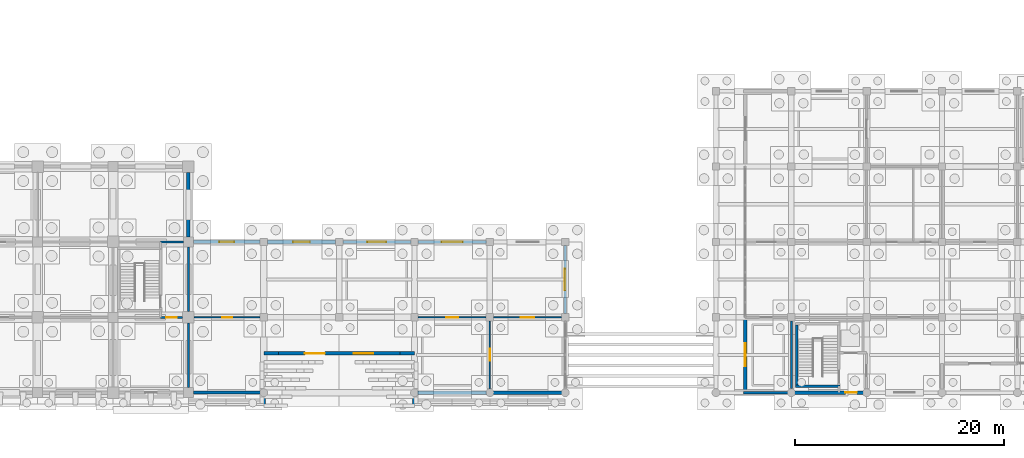
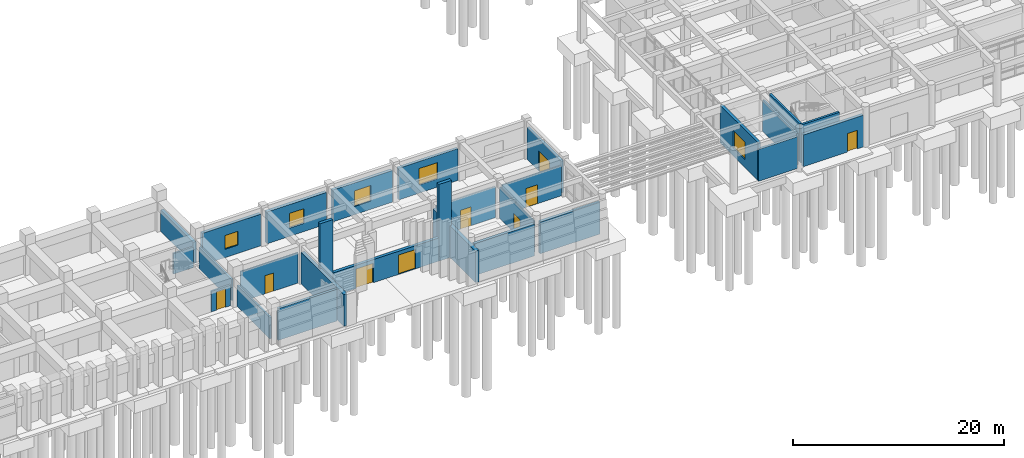
# One storey, part 59 of 79: 28 walls, 9 doors, 5 windows, 14 openings.
"""IFC4 building model written with IfcOpenShell, lengths in metres."""

from ifc_helpers import new_model, si_unit, direction, frame, frame_2d, origin, place, context, subcontext, project, spatial, rectangle, extrude, material, layer, layer_set, type_object, element, fill, save


model = new_model("IFC4")

# Units and contexts
model_context = context("Model", 3, precision=1e-05, world=origin(), true_north=direction((0.0, 1.0)))
body_context = subcontext(model_context, "Body", "Model", "MODEL_VIEW")
ifc_project = project(units=[si_unit("LENGTHUNIT", "METRE"), si_unit("AREAUNIT", "SQUARE_METRE"), si_unit("VOLUMEUNIT", "CUBIC_METRE"), si_unit("PLANEANGLEUNIT", "RADIAN"), si_unit("MASSUNIT", "GRAM", prefix="KILO")], contexts=[model_context])

# Site, building, storey
site_placement = place(None, origin())
site = spatial("IfcSite", under=ifc_project, at=site_placement, CompositionType="ELEMENT")
building_placement = place(site_placement, origin())
building = spatial("IfcBuilding", under=site, at=building_placement, Name="Kavelor Marine Aquarium", CompositionType="ELEMENT")
storey_placement = place(building_placement, origin())
storey = spatial("IfcBuildingStorey", under=building, at=storey_placement, Name="L00", CompositionType="ELEMENT", Elevation=0.0)

# Wall, opening, window
ifc_material_1 = material(Name="Concrete C45/55", Category="concrete")
ifc_layer_1 = layer(ifc_material_1, 0.360107421875)
ifc_layer_set_1 = layer_set([ifc_layer_1], Name="WL-EX1")
wall_type_1 = type_object("IfcWallType", Name="WL-EX1", PredefinedType="STANDARD", material=ifc_layer_set_1)
wall_1_placement = place(storey_placement, frame((75.544921875, 17.199951171875, 0.0), z_axis=(0.0, 0.0, 1.0), x_axis=(1.0, 0.0, 0.0)))
wall_1 = element("IfcWall", 1, at=wall_1_placement, inside=storey, type_object=wall_type_1, Name="ew:x:L00:10_02", PredefinedType="STANDARD", context=body_context, shape_type="SweptSolid", body=[
    extrude(rectangle(XDim=6.510009765625, YDim=0.360107421875, at=frame_2d((3.2548828125, 0.0))), origin(), (0.0, 0.0, 1.0), 3.669921875),
])
opening_1_placement = place(wall_1_placement, frame((2.455078125, 0.0, 0.949951171875)))
opening_1 = element("IfcOpeningElement", 2, at=opening_1_placement, cuts=wall_1, Name="Opening W06", PredefinedType="OPENING", context=body_context, shape_type="SweptSolid", body=[
    extrude(rectangle(XDim=1.60009765625, YDim=1.699951171875, at=frame_2d((0.800048828125, 0.85009765625))), frame((0.0, 0.18994140625, 0.0), z_axis=(0.0, -1.0, 0.0), x_axis=(1.0, 0.0, 0.0)), (0.0, 0.0, 1.0), 0.380107),
])
ifc_material_2 = material(Name="Anodised Aluminium Frame with Low-E Double Glazing", Category="aluminium")
window_type_1 = type_object("IfcWindowType", Name="WIN-W06", PartitioningType="SINGLE_PANEL", PredefinedType="WINDOW", material=ifc_material_2)
window_1_placement = place(opening_1_placement, origin())
window_1 = element("IfcWindow", 3, at=window_1_placement, inside=storey, type_object=window_type_1, Name="win:x:L00:10_02", OverallHeight=1.699951171875, OverallWidth=1.60009765625, PartitioningType="SINGLE_PANEL", PredefinedType="WINDOW", context=body_context, shape_type="SweptSolid", body=[
    extrude(rectangle(XDim=1.60009765625, YDim=1.699951171875, at=frame_2d((0.800048828125, 0.85009765625))), frame((0.0, 0.030029296875, 0.0), z_axis=(0.0, -1.0, 0.0), x_axis=(1.0, 0.0, 0.0)), (0.0, 0.0, 1.0), 0.06005859375),
])
fill(opening_1, window_1)

# Walls
wall_2_placement = place(storey_placement, frame((96.489990234375, 2.800048828125, 0.0), z_axis=(0.0, 0.0, 1.0), x_axis=(-1.0, 0.0, 0.0)))
element("IfcWall", 4, at=wall_2_placement, inside=storey, type_object=wall_type_1, Name="ew:x:L00:12_00", PredefinedType="STANDARD", context=body_context, shape_type="SweptSolid", body=[
    extrude(rectangle(XDim=6.580078125, YDim=0.360107421875, at=frame_2d((3.2900390625, 0.0))), origin(), (0.0, 0.0, 1.0), 3.669921875),
])
for number, where, z_axis, x_axis, name in (
    (5, (75.199951171875, 1.56005859375, 0.0), (0.0, 0.0, 1.0), (0.0, 1.0, 0.0), "ew:portal:south:cheek:w:L00"),
    (6, (89.60009765625, 1.56005859375, 0.0), (0.0, 0.0, 1.0), (0.0, 1.0, 0.0), "ew:portal:south:cheek:e:L00"),
):
    element("IfcWall", number, at=place(storey_placement, frame(where, z_axis=z_axis, x_axis=x_axis)), inside=storey, type_object=wall_type_1, Name=name, PredefinedType="STANDARD", context=body_context, shape_type="SweptSolid", body=[
        extrude(rectangle(XDim=8.094970703125, YDim=0.360107421875, at=frame_2d((4.04736328125, 0.0))), origin(), (0.0, 0.0, 1.0), 3.669921875),
    ])
for number, where, z_axis, x_axis, name in (
    (7, (75.199951171875, 6.56005859375, 0.0), (0.0, 0.0, 1.0), (1.0, 0.0, 0.0), "ew:portal:south:jamb:l"),
    (8, (88.199951171875, 6.56005859375, 0.0), (0.0, 0.0, 1.0), (1.0, 0.0, 0.0), "ew:portal:south:jamb:r"),
):
    element("IfcWall", number, at=place(storey_placement, frame(where, z_axis=z_axis, x_axis=x_axis)), inside=storey, type_object=wall_type_1, Name=name, PredefinedType="STANDARD", context=body_context, shape_type="SweptSolid", body=[
        extrude(rectangle(XDim=1.400146484375, YDim=0.340087890625, at=frame_2d((0.7001953125, 0.0))), origin(), (0.0, 0.0, 1.0), 8.8701171875),
    ])

# Wall, opening, window
ifc_material_3 = material(Name="Concrete C45/55", Category="concrete")
ifc_layer_2 = layer(ifc_material_3, 0.320068359375)
ifc_layer_set_2 = layer_set([ifc_layer_2], Name="WL-EX2")
wall_type_2 = type_object("IfcWallType", Name="WL-EX2", PredefinedType="STANDARD", material=ifc_layer_set_2)
wall_3_placement = place(storey_placement, frame((82.7451171875, 17.199951171875, 0.0), z_axis=(0.0, 0.0, 1.0), x_axis=(1.0, 0.0, 0.0)))
wall_3 = element("IfcWall", 9, at=wall_3_placement, inside=storey, type_object=wall_type_2, Name="ew:x:L00:11_02", PredefinedType="STANDARD", context=body_context, shape_type="SweptSolid", body=[
    extrude(rectangle(XDim=6.509765625, YDim=0.320068359375, at=frame_2d((3.2548828125, 0.0))), origin(), (0.0, 0.0, 1.0), 3.669921875),
])
opening_2_placement = place(wall_3_placement, frame((2.35498046875, 0.0, 0.949951171875)))
opening_2 = element("IfcOpeningElement", 10, at=opening_2_placement, cuts=wall_3, Name="Opening W08", PredefinedType="OPENING", context=body_context, shape_type="SweptSolid", body=[
    extrude(rectangle(XDim=1.800048828125, YDim=1.800048828125, at=frame_2d((0.89990234375, 0.89990234375))), frame((0.0, 0.169921875, 0.0), z_axis=(0.0, -1.0, 0.0), x_axis=(1.0, 0.0, 0.0)), (0.0, 0.0, 1.0), 0.340068),
])
ifc_material_4 = material(Name="Anodised Aluminium Frame with Low-E Double Glazing", Category="aluminium")
window_type_2 = type_object("IfcWindowType", Name="WIN-W08", PartitioningType="DOUBLE_PANEL_VERTICAL", PredefinedType="WINDOW", material=ifc_material_4)
window_2_placement = place(opening_2_placement, origin())
window_2 = element("IfcWindow", 11, at=window_2_placement, inside=storey, type_object=window_type_2, Name="win:x:L00:11_02", OverallHeight=1.800048828125, OverallWidth=1.800048828125, PartitioningType="SINGLE_PANEL", PredefinedType="WINDOW", context=body_context, shape_type="SweptSolid", body=[
    extrude(rectangle(XDim=1.800048828125, YDim=1.800048828125, at=frame_2d((0.89990234375, 0.89990234375))), frame((0.0, 0.030029296875, 0.0), z_axis=(0.0, -1.0, 0.0), x_axis=(1.0, 0.0, 0.0)), (0.0, 0.0, 1.0), 0.06005859375),
])
fill(opening_2, window_2)

# Wall
wall_4_placement = place(storey_placement, frame((103.68994140625, 2.800048828125, 0.0), z_axis=(0.0, 0.0, 1.0), x_axis=(-1.0, 0.0, 0.0)))
element("IfcWall", 12, at=wall_4_placement, inside=storey, type_object=wall_type_2, Name="ew:x:L00:13_00", PredefinedType="STANDARD", context=body_context, shape_type="SweptSolid", body=[
    extrude(rectangle(XDim=6.579833984375, YDim=0.320068359375, at=frame_2d((3.2900390625, 0.0))), origin(), (0.0, 0.0, 1.0), 3.669921875),
])

# Wall, opening, window
wall_5_placement = place(storey_placement, frame((121.199951171875, 10.0, 0.0), z_axis=(0.0, 0.0, 1.0), x_axis=(0.0, -1.0, 0.0)))
wall_5 = element("IfcWall", 13, at=wall_5_placement, inside=storey, type_object=wall_type_2, Name="ew:arc:v3w:00", PredefinedType="STANDARD", context=body_context, shape_type="SweptSolid", body=[
    extrude(rectangle(XDim=7.199951171875, YDim=0.300048828125, at=frame_2d((3.60009765625, 0.0))), origin(), (0.0, 0.0, 1.0), 4.3701171875),
])
opening_3_placement = place(wall_5_placement, frame((2.5, 0.0, 0.949951171875)))
opening_3 = element("IfcOpeningElement", 14, at=opening_3_placement, cuts=wall_5, Name="Opening W12", PredefinedType="OPENING", context=body_context, shape_type="SweptSolid", body=[
    extrude(rectangle(XDim=2.199951171875, YDim=2.0, at=frame_2d((1.10009765625, 1.0))), frame((0.0, 0.159912109375, 0.0), z_axis=(0.0, -1.0, 0.0), x_axis=(1.0, 0.0, 0.0)), (0.0, 0.0, 1.0), 0.320049),
])
ifc_material_5 = material(Name="Anodised Aluminium Frame with Low-E Double Glazing", Category="aluminium")
window_type_3 = type_object("IfcWindowType", Name="WIN-W12", PartitioningType="DOUBLE_PANEL_VERTICAL", PredefinedType="WINDOW", material=ifc_material_5)
window_3_placement = place(opening_3_placement, origin())
window_3 = element("IfcWindow", 15, at=window_3_placement, inside=storey, type_object=window_type_3, Name="win:arc:v3w:00", OverallHeight=2.0, OverallWidth=2.199951171875, PartitioningType="SINGLE_PANEL", PredefinedType="WINDOW", context=body_context, shape_type="SweptSolid", body=[
    extrude(rectangle(XDim=2.199951171875, YDim=2.0, at=frame_2d((1.10009765625, 1.0))), frame((0.0, 0.030029296875, 0.0), z_axis=(0.0, -1.0, 0.0), x_axis=(1.0, 0.0, 0.0)), (0.0, 0.0, 1.0), 0.06005859375),
])
fill(opening_3, window_3)

# Wall, openings, doors
wall_6_placement = place(storey_placement, frame((88.199951171875, 6.56005859375, 0.0), z_axis=(0.0, 0.0, 1.0), x_axis=(-1.0, 0.0, 0.0)))
wall_6 = element("IfcWall", 16, at=wall_6_placement, inside=storey, type_object=wall_type_2, Name="ew:portal:south:thresh", PredefinedType="STANDARD", context=body_context, shape_type="SweptSolid", body=[
    extrude(rectangle(XDim=11.599853515625, YDim=0.320068359375, at=frame_2d((5.7998046875, 0.0))), origin(), (0.0, 0.0, 1.0), 2.679931640625),
])
opening_4_placement = place(wall_6_placement, frame((2.5400390625, 0.0, 0.0)))
opening_4 = element("IfcOpeningElement", 17, at=opening_4_placement, cuts=wall_6, Name="Opening ED03", PredefinedType="OPENING", context=body_context, shape_type="SweptSolid", body=[
    extrude(rectangle(XDim=1.8798828125, YDim=2.239990234375, at=frame_2d((0.93994140625, 1.1201171875))), frame((0.0, 0.169921875, 0.0), z_axis=(0.0, -1.0, 0.0), x_axis=(1.0, 0.0, 0.0)), (0.0, 0.0, 1.0), 0.340068),
])
opening_5_placement = place(wall_6_placement, frame((7.159912109375, 0.0, 0.0)))
opening_5 = element("IfcOpeningElement", 18, at=opening_5_placement, cuts=wall_6, Name="Opening ED04", PredefinedType="OPENING", context=body_context, shape_type="SweptSolid", body=[
    extrude(rectangle(XDim=1.919921875, YDim=2.260009765625, at=frame_2d((0.9599609375, 1.1298828125))), frame((0.0, 0.169921875, 0.0), z_axis=(0.0, -1.0, 0.0), x_axis=(1.0, 0.0, 0.0)), (0.0, 0.0, 1.0), 0.340068),
])
ifc_material_6 = material(Name="Marine-Grade Anodised Aluminium and Laminated Safety Glass", Category="aluminium")
door_type_1 = type_object("IfcDoorType", Name="DR-ED03", OperationType="NOTDEFINED", PredefinedType="DOOR", material=ifc_material_6)
door_1_placement = place(opening_4_placement, origin())
door_1 = element("IfcDoor", 19, at=door_1_placement, inside=storey, type_object=door_type_1, Name="Portal Arched Entrance Door ED03", OperationType="DOUBLE_DOOR_SINGLE_SWING", OverallHeight=2.239990234375, OverallWidth=1.8798828125, PredefinedType="DOOR", context=body_context, shape_type="SweptSolid", body=[
    extrude(rectangle(XDim=1.8798828125, YDim=2.239990234375, at=frame_2d((0.93994140625, 1.1201171875))), frame((0.0, 0.02490234375, 0.0), z_axis=(0.0, -1.0, 0.0), x_axis=(1.0, 0.0, 0.0)), (0.0, 0.0, 1.0), 0.050048828125),
])
fill(opening_4, door_1)
ifc_material_7 = material(Name="Marine-Grade Anodised Aluminium and Laminated Safety Glass", Category="aluminium")
door_type_2 = type_object("IfcDoorType", Name="DR-ED04", OperationType="NOTDEFINED", PredefinedType="DOOR", material=ifc_material_7)
door_2_placement = place(opening_5_placement, origin())
door_2 = element("IfcDoor", 20, at=door_2_placement, inside=storey, type_object=door_type_2, Name="Portal Arched Entrance Door ED04", OperationType="DOUBLE_DOOR_SINGLE_SWING", OverallHeight=2.260009765625, OverallWidth=1.919921875, PredefinedType="DOOR", context=body_context, shape_type="SweptSolid", body=[
    extrude(rectangle(XDim=1.919921875, YDim=2.260009765625, at=frame_2d((0.9599609375, 1.1298828125))), frame((0.0, 0.02490234375, 0.0), z_axis=(0.0, -1.0, 0.0), x_axis=(1.0, 0.0, 0.0)), (0.0, 0.0, 1.0), 0.050048828125),
])
fill(opening_5, door_2)

# Wall, opening, window
ifc_material_8 = material(Name="Concrete C40/50", Category="concrete")
ifc_layer_3 = layer(ifc_material_8, 0.300048828125)
ifc_layer_set_3 = layer_set([ifc_layer_3], Name="WL-EX3")
wall_type_3 = type_object("IfcWallType", Name="WL-EX3", PredefinedType="STANDARD", material=ifc_layer_set_3)
wall_7_placement = place(storey_placement, frame((89.945068359375, 17.199951171875, 0.0), z_axis=(0.0, 0.0, 1.0), x_axis=(1.0, 0.0, 0.0)))
wall_7 = element("IfcWall", 21, at=wall_7_placement, inside=storey, type_object=wall_type_3, Name="ew:x:L00:12_02", PredefinedType="STANDARD", context=body_context, shape_type="SweptSolid", body=[
    extrude(rectangle(XDim=6.510009765625, YDim=0.300048828125, at=frame_2d((3.2548828125, 0.0))), origin(), (0.0, 0.0, 1.0), 3.669921875),
])
opening_6_placement = place(wall_7_placement, frame((2.2548828125, 0.0, 0.949951171875)))
opening_6 = element("IfcOpeningElement", 22, at=opening_6_placement, cuts=wall_7, Name="Opening W10", PredefinedType="OPENING", context=body_context, shape_type="SweptSolid", body=[
    extrude(rectangle(XDim=2.0, YDim=1.89990234375, at=frame_2d((1.0, 0.949951171875))), frame((0.0, 0.159912109375, 0.0), z_axis=(0.0, -1.0, 0.0), x_axis=(1.0, 0.0, 0.0)), (0.0, 0.0, 1.0), 0.320049),
])
ifc_material_9 = material(Name="Anodised Aluminium Frame with Low-E Double Glazing", Category="aluminium")
window_type_4 = type_object("IfcWindowType", Name="WIN-W10", PartitioningType="DOUBLE_PANEL_VERTICAL", PredefinedType="WINDOW", material=ifc_material_9)
window_4_placement = place(opening_6_placement, origin())
window_4 = element("IfcWindow", 23, at=window_4_placement, inside=storey, type_object=window_type_4, Name="win:x:L00:12_02", OverallHeight=1.89990234375, OverallWidth=2.0, PartitioningType="SINGLE_PANEL", PredefinedType="WINDOW", context=body_context, shape_type="SweptSolid", body=[
    extrude(rectangle(XDim=2.0, YDim=1.89990234375, at=frame_2d((1.0, 0.949951171875))), frame((0.0, 0.030029296875, 0.0), z_axis=(0.0, -1.0, 0.0), x_axis=(1.0, 0.0, 0.0)), (0.0, 0.0, 1.0), 0.06005859375),
])
fill(opening_6, window_4)

# Wall
ifc_material_10 = material(Name="Concrete C40/50", Category="concrete")
ifc_layer_4 = layer(ifc_material_10, 0.280029296875)
ifc_layer_set_4 = layer_set([ifc_layer_4], Name="WL-EX4")
wall_type_4 = type_object("IfcWallType", Name="WL-EX4", PredefinedType="STANDARD", material=ifc_layer_set_4)
wall_8_placement = place(storey_placement, frame((74.889892578125, 2.800048828125, 0.0), z_axis=(0.0, 0.0, 1.0), x_axis=(-1.0, 0.0, 0.0)))
element("IfcWall", 24, at=wall_8_placement, inside=storey, type_object=wall_type_4, Name="ew:x:L00:09_00", PredefinedType="STANDARD", context=body_context, shape_type="SweptSolid", body=[
    extrude(rectangle(XDim=6.419921875, YDim=0.280029296875, at=frame_2d((3.2099609375, 0.0))), origin(), (0.0, 0.0, 1.0), 3.669921875),
])

# Wall, opening, door
wall_9_placement = place(storey_placement, frame((104.0, 16.85498046875, 0.0), z_axis=(0.0, 0.0, 1.0), x_axis=(0.0, -1.0, 0.0)))
wall_9 = element("IfcWall", 25, at=wall_9_placement, inside=storey, type_object=wall_type_4, Name="ew:y:L00:14_01", PredefinedType="STANDARD", context=body_context, shape_type="SweptSolid", body=[
    extrude(rectangle(XDim=6.510009765625, YDim=0.280029296875, at=frame_2d((3.2548828125, 0.0))), origin(), (0.0, 0.0, 1.0), 3.669921875),
])
opening_7_placement = place(wall_9_placement, frame((2.235107421875, 0.0, 0.0)))
opening_7 = element("IfcOpeningElement", 26, at=opening_7_placement, cuts=wall_9, Name="Opening ED07", PredefinedType="OPENING", context=body_context, shape_type="SweptSolid", body=[
    extrude(rectangle(XDim=2.0400390625, YDim=2.320068359375, at=frame_2d((1.02001953125, 1.16015625))), frame((0.0, 0.14990234375, 0.0), z_axis=(0.0, -1.0, 0.0), x_axis=(1.0, 0.0, 0.0)), (0.0, 0.0, 1.0), 0.300029),
])
ifc_material_11 = material(Name="Marine-Grade Anodised Aluminium and Laminated Safety Glass", Category="aluminium")
door_type_3 = type_object("IfcDoorType", Name="DR-ED07", OperationType="NOTDEFINED", PredefinedType="DOOR", material=ifc_material_11)
door_3_placement = place(opening_7_placement, origin())
door_3 = element("IfcDoor", 27, at=door_3_placement, inside=storey, type_object=door_type_3, Name="Pedestrian Final Exit Door ED07", OperationType="DOUBLE_DOOR_SINGLE_SWING", OverallHeight=2.320068359375, OverallWidth=2.0400390625, PredefinedType="DOOR", context=body_context, shape_type="SweptSolid", body=[
    extrude(rectangle(XDim=2.0400390625, YDim=2.320068359375, at=frame_2d((1.02001953125, 1.16015625))), frame((0.0, 0.02490234375, 0.0), z_axis=(0.0, -1.0, 0.0), x_axis=(1.0, 0.0, 0.0)), (0.0, 0.0, 1.0), 0.050048828125),
])
fill(opening_7, door_3)

# Wall
ifc_material_12 = material(Name="Concrete C40/50", Category="concrete")
ifc_layer_5 = layer(ifc_material_12, 0.260009765625)
ifc_layer_set_5 = layer_set([ifc_layer_5], Name="WL-EX5")
wall_type_5 = type_object("IfcWallType", Name="WL-EX5", PredefinedType="STANDARD", material=ifc_layer_set_5)
wall_10_placement = place(storey_placement, frame((125.2900390625, 2.800048828125, 0.0), z_axis=(0.0, 0.0, 1.0), x_axis=(-1.0, 0.0, 0.0)))
element("IfcWall", 28, at=wall_10_placement, inside=storey, type_object=wall_type_5, Name="ew:x:L00:16_00", PredefinedType="STANDARD", context=body_context, shape_type="SweptSolid", body=[
    extrude(rectangle(XDim=4.239990234375, YDim=0.260009765625, at=frame_2d((2.1201171875, 0.0))), origin(), (0.0, 0.0, 1.0), 3.669921875),
])

# Wall, opening, window
ifc_material_13 = material(Name="Concrete C45/55", Category="concrete")
ifc_layer_6 = layer(ifc_material_13, 0.340087890625)
ifc_layer_set_6 = layer_set([ifc_layer_6], Name="WL-EX6")
wall_type_6 = type_object("IfcWallType", Name="WL-EX6", PredefinedType="STANDARD", material=ifc_layer_set_6)
wall_11_placement = place(storey_placement, frame((68.469970703125, 17.199951171875, 0.0), z_axis=(0.0, 0.0, 1.0), x_axis=(1.0, 0.0, 0.0)))
wall_11 = element("IfcWall", 29, at=wall_11_placement, inside=storey, type_object=wall_type_6, Name="ew:x:L00:09_02", PredefinedType="STANDARD", context=body_context, shape_type="SweptSolid", body=[
    extrude(rectangle(XDim=6.385009765625, YDim=0.340087890625, at=frame_2d((3.1923828125, 0.0))), origin(), (0.0, 0.0, 1.0), 3.669921875),
])
opening_8_placement = place(wall_11_placement, frame((2.492431640625, 0.0, 0.949951171875)))
opening_8 = element("IfcOpeningElement", 30, at=opening_8_placement, cuts=wall_11, Name="Opening W04", PredefinedType="OPENING", context=body_context, shape_type="SweptSolid", body=[
    extrude(rectangle(XDim=1.39990234375, YDim=1.60009765625, at=frame_2d((0.699951171875, 0.800048828125))), frame((0.0, 0.179931640625, 0.0), z_axis=(0.0, -1.0, 0.0), x_axis=(1.0, 0.0, 0.0)), (0.0, 0.0, 1.0), 0.360088),
])
ifc_material_14 = material(Name="Anodised Aluminium Frame with Low-E Double Glazing", Category="aluminium")
window_type_5 = type_object("IfcWindowType", Name="WIN-W04", PartitioningType="SINGLE_PANEL", PredefinedType="WINDOW", material=ifc_material_14)
window_5_placement = place(opening_8_placement, origin())
window_5 = element("IfcWindow", 31, at=window_5_placement, inside=storey, type_object=window_type_5, Name="win:x:L00:09_02", OverallHeight=1.60009765625, OverallWidth=1.39990234375, PartitioningType="SINGLE_PANEL", PredefinedType="WINDOW", context=body_context, shape_type="SweptSolid", body=[
    extrude(rectangle(XDim=1.39990234375, YDim=1.60009765625, at=frame_2d((0.699951171875, 0.800048828125))), frame((0.0, 0.030029296875, 0.0), z_axis=(0.0, -1.0, 0.0), x_axis=(1.0, 0.0, 0.0)), (0.0, 0.0, 1.0), 0.06005859375),
])
fill(opening_8, window_5)

# Wall, opening, door
wall_12_placement = place(storey_placement, frame((132.489990234375, 2.800048828125, 0.0), z_axis=(0.0, 0.0, 1.0), x_axis=(-1.0, 0.0, 0.0)))
wall_12 = element("IfcWall", 32, at=wall_12_placement, inside=storey, type_object=wall_type_6, Name="ew:x:L00:17_00", PredefinedType="STANDARD", context=body_context, shape_type="SweptSolid", body=[
    extrude(rectangle(XDim=6.580078125, YDim=0.340087890625, at=frame_2d((3.2900390625, 0.0))), origin(), (0.0, 0.0, 1.0), 3.669921875),
])
opening_9_placement = place(wall_12_placement, frame((0.625, 0.0, 0.0)))
opening_9 = element("IfcOpeningElement", 33, at=opening_9_placement, cuts=wall_12, Name="Opening SD2", PredefinedType="OPENING", context=body_context, shape_type="SweptSolid", body=[
    extrude(rectangle(XDim=1.10009765625, YDim=2.14990234375, at=frame_2d((0.550048828125, 1.074951171875))), frame((0.0, 0.179931640625, 0.0), z_axis=(0.0, -1.0, 0.0), x_axis=(1.0, 0.0, 0.0)), (0.0, 0.0, 1.0), 0.360088),
])
ifc_material_15 = material(Name="Marine-Grade Anodised Aluminium and Laminated Safety Glass", Category="aluminium")
door_type_4 = type_object("IfcDoorType", Name="DR-SD2", OperationType="NOTDEFINED", PredefinedType="DOOR", material=ifc_material_15)
door_4_placement = place(opening_9_placement, origin())
door_4 = element("IfcDoor", 34, at=door_4_placement, inside=storey, type_object=door_type_4, Name="Protected Stair Exterior Exit Door SD2 (C08)", OperationType="SINGLE_SWING_RIGHT", OverallHeight=2.14990234375, OverallWidth=1.10009765625, PredefinedType="DOOR", context=body_context, shape_type="SweptSolid", body=[
    extrude(rectangle(XDim=1.10009765625, YDim=2.14990234375, at=frame_2d((0.550048828125, 1.074951171875))), frame((0.0, 0.02490234375, 0.0), z_axis=(0.0, -1.0, 0.0), x_axis=(1.0, 0.0, 0.0)), (0.0, 0.0, 1.0), 0.050048828125),
])
fill(opening_9, door_4)

# Walls
wall_13_placement = place(storey_placement, frame((68.0, 23.85498046875, 0.0), z_axis=(0.0, 0.0, 1.0), x_axis=(0.0, -1.0, 0.0)))
element("IfcWall", 35, at=wall_13_placement, inside=storey, type_object=wall_type_6, Name="ew:y:L00:09_02", PredefinedType="STANDARD", context=body_context, shape_type="SweptSolid", body=[
    extrude(rectangle(XDim=6.18505859375, YDim=0.340087890625, at=frame_2d((3.092529296875, 0.0))), origin(), (0.0, 0.0, 1.0), 2.469970703125),
])
ifc_material_16 = material(Name="Concrete Blockwork Partition", Category="masonry")
ifc_layer_7 = layer(ifc_material_16, 0.199951171875)
ifc_layer_set_7 = layer_set([ifc_layer_7], Name="WL-PT1")
wall_type_7 = type_object("IfcWallType", Name="WL-PT1", PredefinedType="PARTITIONING", material=ifc_layer_set_7)
wall_14_placement = place(storey_placement, frame((68.0, 10.550048828125, 0.0), z_axis=(0.0, 0.0, 1.0), x_axis=(0.0, 1.0, 0.0)))
element("IfcWall", 36, at=wall_14_placement, inside=storey, type_object=wall_type_7, Name="pt:lob:C12:L00:e", PredefinedType="PARTITIONING", context=body_context, shape_type="SweptSolid", body=[
    extrude(rectangle(XDim=6.175048828125, YDim=0.199951171875, at=frame_2d((3.08740234375, 0.0))), origin(), (0.0, 0.0, 1.0), 2.469970703125),
])

# Wall, opening, door
wall_15_placement = place(storey_placement, frame((65.340087890625, 10.0, 0.0), z_axis=(0.0, 0.0, 1.0), x_axis=(1.0, 0.0, 0.0)))
wall_15 = element("IfcWall", 37, at=wall_15_placement, inside=storey, type_object=wall_type_7, Name="pt:lob:C12:L00:s", PredefinedType="PARTITIONING", context=body_context, shape_type="SweptSolid", body=[
    extrude(rectangle(XDim=2.10986328125, YDim=0.199951171875, at=frame_2d((1.054931640625, 0.0))), origin(), (0.0, 0.0, 1.0), 2.3701171875),
])
opening_10_placement = place(wall_15_placement, frame((0.544921875, 0.0, 0.0)))
opening_10 = element("IfcOpeningElement", 38, at=opening_10_placement, cuts=wall_15, Name="Opening SD1", PredefinedType="OPENING", context=body_context, shape_type="SweptSolid", body=[
    extrude(rectangle(XDim=1.02001953125, YDim=2.14990234375, at=frame_2d((0.510009765625, 1.074951171875))), frame((0.0, 0.10986328125, 0.0), z_axis=(0.0, -1.0, 0.0), x_axis=(1.0, 0.0, 0.0)), (0.0, 0.0, 1.0), 0.219951),
])
ifc_material_17 = material(Name="Fire-Rated Corridor Compartment Door")
door_type_5 = type_object("IfcDoorType", Name="DR-SD1", OperationType="NOTDEFINED", PredefinedType="DOOR", material=ifc_material_17)
door_5_placement = place(opening_10_placement, origin())
door_5 = element("IfcDoor", 39, at=door_5_placement, inside=storey, type_object=door_type_5, Name="Core Lobby Fire Door C12-L00", OperationType="SINGLE_SWING_RIGHT", OverallHeight=2.14990234375, OverallWidth=1.02001953125, PredefinedType="DOOR", context=body_context, shape_type="SweptSolid", body=[
    extrude(rectangle(XDim=1.02001953125, YDim=2.14990234375, at=frame_2d((0.510009765625, 1.074951171875))), frame((0.0, 0.02490234375, 0.0), z_axis=(0.0, -1.0, 0.0), x_axis=(1.0, 0.0, 0.0)), (0.0, 0.0, 1.0), 0.050048828125),
])
fill(opening_10, door_5)

# Walls
wall_16_placement = place(storey_placement, frame((65.340087890625, 17.199951171875, 0.0), z_axis=(0.0, 0.0, 1.0), x_axis=(1.0, 0.0, 0.0)))
element("IfcWall", 40, at=wall_16_placement, inside=storey, type_object=wall_type_7, Name="pt:lob:C12:L00:n", PredefinedType="PARTITIONING", context=body_context, shape_type="SweptSolid", body=[
    extrude(rectangle(XDim=2.184814453125, YDim=0.199951171875, at=frame_2d((1.09228515625, 0.0))), origin(), (0.0, 0.0, 1.0), 2.3701171875),
])
wall_17_placement = place(storey_placement, frame((125.60009765625, 3.175048828125, 0.0), z_axis=(0.0, 0.0, 1.0), x_axis=(0.0, 1.0, 0.0)))
element("IfcWall", 41, at=wall_17_placement, inside=storey, type_object=wall_type_7, Name="pt:lob:C08:L00:w", PredefinedType="PARTITIONING", context=body_context, shape_type="SweptSolid", body=[
    extrude(rectangle(XDim=6.474853515625, YDim=0.199951171875, at=frame_2d((3.2373046875, 0.0))), origin(), (0.0, 0.0, 1.0), 3.6201171875),
])
wall_18_placement = place(storey_placement, frame((68.0, 3.27490234375, 0.0), z_axis=(0.0, 0.0, 1.0), x_axis=(0.0, 1.0, 0.0)))
element("IfcWall", 42, at=wall_18_placement, inside=storey, type_object=wall_type_7, Name="pt:y:L00:08_00", PredefinedType="PARTITIONING", context=body_context, shape_type="SweptSolid", body=[
    extrude(rectangle(XDim=6.175048828125, YDim=0.199951171875, at=frame_2d((3.08740234375, 0.0))), origin(), (0.0, 0.0, 1.0), 2.469970703125),
])

# Wall, opening, door
ifc_material_18 = material(Name="Lightweight Drywall Partition")
ifc_layer_8 = layer(ifc_material_18, 0.1201171875)
ifc_layer_set_8 = layer_set([ifc_layer_8], Name="WL-PT4")
wall_type_8 = type_object("IfcWallType", Name="WL-PT4", PredefinedType="PARTITIONING", material=ifc_layer_set_8)
wall_19_placement = place(storey_placement, frame((68.550048828125, 10.0, 0.0), z_axis=(0.0, 0.0, 1.0), x_axis=(1.0, 0.0, 0.0)))
wall_19 = element("IfcWall", 43, at=wall_19_placement, inside=storey, type_object=wall_type_8, Name="pt:x:L00:09_00", PredefinedType="PARTITIONING", context=body_context, shape_type="SweptSolid", body=[
    extrude(rectangle(XDim=6.300048828125, YDim=0.1201171875, at=frame_2d((3.14990234375, 0.0))), origin(), (0.0, 0.0, 1.0), 3.52001953125),
])
opening_11_placement = place(wall_19_placement, frame((2.669921875, 0.0, 0.0)))
opening_11 = element("IfcOpeningElement", 44, at=opening_11_placement, cuts=wall_19, Name="Opening D01", PredefinedType="OPENING", context=body_context, shape_type="SweptSolid", body=[
    extrude(rectangle(XDim=0.9599609375, YDim=2.10009765625, at=frame_2d((0.47998046875, 1.050048828125))), frame((0.0, 0.070068359375, 0.0), z_axis=(0.0, -1.0, 0.0), x_axis=(1.0, 0.0, 0.0)), (0.0, 0.0, 1.0), 0.140117),
])
ifc_material_19 = material(Name="Solid-Core Acoustic Timber Laboratory Door", Category="wood")
door_type_6 = type_object("IfcDoorType", Name="DR-D01", OperationType="NOTDEFINED", PredefinedType="DOOR", material=ifc_material_19)
door_6_placement = place(opening_11_placement, origin())
door_6 = element("IfcDoor", 45, at=door_6_placement, inside=storey, type_object=door_type_6, Name="dr:rm:pt:x:L00:09_00:0", OperationType="SINGLE_SWING_RIGHT", OverallHeight=2.10009765625, OverallWidth=0.9599609375, PredefinedType="DOOR", context=body_context, shape_type="SweptSolid", body=[
    extrude(rectangle(XDim=0.9599609375, YDim=2.10009765625, at=frame_2d((0.47998046875, 1.050048828125))), frame((0.0, 0.02490234375, 0.0), z_axis=(0.0, -1.0, 0.0), x_axis=(1.0, 0.0, 0.0)), (0.0, 0.0, 1.0), 0.050048828125),
])
fill(opening_11, door_6)

wall_20_placement = place(storey_placement, frame((96.800048828125, 3.175048828125, 0.0), z_axis=(0.0, 0.0, 1.0), x_axis=(0.0, 1.0, 0.0)))
wall_20 = element("IfcWall", 46, at=wall_20_placement, inside=storey, type_object=wall_type_8, Name="pt:y:L00:12_00", PredefinedType="PARTITIONING", context=body_context, shape_type="SweptSolid", body=[
    extrude(rectangle(XDim=6.474853515625, YDim=0.1201171875, at=frame_2d((3.2373046875, 0.0))), origin(), (0.0, 0.0, 1.0), 3.6201171875),
])
opening_12_placement = place(wall_20_placement, frame((2.657470703125, 0.0, 0.0)))
opening_12 = element("IfcOpeningElement", 47, at=opening_12_placement, cuts=wall_20, Name="Opening D09", PredefinedType="OPENING", context=body_context, shape_type="SweptSolid", body=[
    extrude(rectangle(XDim=1.159912109375, YDim=2.179931640625, at=frame_2d((0.580078125, 1.08984375))), frame((0.0, 0.070068359375, 0.0), z_axis=(0.0, -1.0, 0.0), x_axis=(1.0, 0.0, 0.0)), (0.0, 0.0, 1.0), 0.140117),
])
ifc_material_20 = material(Name="Husbandry Prep Marine Door")
door_type_7 = type_object("IfcDoorType", Name="DR-D09", OperationType="NOTDEFINED", PredefinedType="DOOR", material=ifc_material_20)
door_7_placement = place(opening_12_placement, origin())
door_7 = element("IfcDoor", 48, at=door_7_placement, inside=storey, type_object=door_type_7, Name="dr:rm:pt:y:L00:12_00:0", OperationType="SINGLE_SWING_LEFT", OverallHeight=2.179931640625, OverallWidth=1.159912109375, PredefinedType="DOOR", context=body_context, shape_type="SweptSolid", body=[
    extrude(rectangle(XDim=1.159912109375, YDim=2.179931640625, at=frame_2d((0.580078125, 1.08984375))), frame((0.0, 0.02490234375, 0.0), z_axis=(0.0, -1.0, 0.0), x_axis=(1.0, 0.0, 0.0)), (0.0, 0.0, 1.0), 0.050048828125),
])
fill(opening_12, door_7)

wall_21_placement = place(storey_placement, frame((89.949951171875, 10.0, 0.0), z_axis=(0.0, 0.0, 1.0), x_axis=(1.0, 0.0, 0.0)))
wall_21 = element("IfcWall", 49, at=wall_21_placement, inside=storey, type_object=wall_type_8, Name="pt:x:L00:12_00", PredefinedType="PARTITIONING", context=body_context, shape_type="SweptSolid", body=[
    extrude(rectangle(XDim=6.5, YDim=0.1201171875, at=frame_2d((3.25, 0.0))), origin(), (0.0, 0.0, 1.0), 3.6201171875),
])
opening_13_placement = place(wall_21_placement, frame((2.669921875, 0.0, 0.0)))
opening_13 = element("IfcOpeningElement", 50, at=opening_13_placement, cuts=wall_21, Name="Opening D09", PredefinedType="OPENING", context=body_context, shape_type="SweptSolid", body=[
    extrude(rectangle(XDim=1.159912109375, YDim=2.179931640625, at=frame_2d((0.580078125, 1.08984375))), frame((0.0, 0.070068359375, 0.0), z_axis=(0.0, -1.0, 0.0), x_axis=(1.0, 0.0, 0.0)), (0.0, 0.0, 1.0), 0.140117),
])
door_8_placement = place(opening_13_placement, origin())
door_8 = element("IfcDoor", 51, at=door_8_placement, inside=storey, type_object=door_type_7, Name="dr:rm:pt:x:L00:12_00:0", OperationType="SINGLE_SWING_LEFT", OverallHeight=2.179931640625, OverallWidth=1.159912109375, PredefinedType="DOOR", context=body_context, shape_type="SweptSolid", body=[
    extrude(rectangle(XDim=1.159912109375, YDim=2.179931640625, at=frame_2d((0.580078125, 1.08984375))), frame((0.0, 0.02490234375, 0.0), z_axis=(0.0, -1.0, 0.0), x_axis=(1.0, 0.0, 0.0)), (0.0, 0.0, 1.0), 0.050048828125),
])
fill(opening_13, door_8)

wall_22_placement = place(storey_placement, frame((97.14990234375, 10.0, 0.0), z_axis=(0.0, 0.0, 1.0), x_axis=(1.0, 0.0, 0.0)))
wall_22 = element("IfcWall", 52, at=wall_22_placement, inside=storey, type_object=wall_type_8, Name="pt:x:L00:13_00", PredefinedType="PARTITIONING", context=body_context, shape_type="SweptSolid", body=[
    extrude(rectangle(XDim=6.5, YDim=0.1201171875, at=frame_2d((3.25, 0.0))), origin(), (0.0, 0.0, 1.0), 3.52001953125),
])
opening_14_placement = place(wall_22_placement, frame((2.610107421875, 0.0, 0.0)))
opening_14 = element("IfcOpeningElement", 53, at=opening_14_placement, cuts=wall_22, Name="Opening D10", PredefinedType="OPENING", context=body_context, shape_type="SweptSolid", body=[
    extrude(rectangle(XDim=1.280029296875, YDim=2.199951171875, at=frame_2d((0.64013671875, 1.10009765625))), frame((0.0, 0.070068359375, 0.0), z_axis=(0.0, -1.0, 0.0), x_axis=(1.0, 0.0, 0.0)), (0.0, 0.0, 1.0), 0.140117),
])
ifc_material_21 = material(Name="Equipment Store Wide Leaf Door")
door_type_8 = type_object("IfcDoorType", Name="DR-D10", OperationType="NOTDEFINED", PredefinedType="DOOR", material=ifc_material_21)
door_9_placement = place(opening_14_placement, origin())
door_9 = element("IfcDoor", 54, at=door_9_placement, inside=storey, type_object=door_type_8, Name="dr:rm:pt:x:L00:13_00:0", OperationType="SINGLE_SWING_RIGHT", OverallHeight=2.199951171875, OverallWidth=1.280029296875, PredefinedType="DOOR", context=body_context, shape_type="SweptSolid", body=[
    extrude(rectangle(XDim=1.280029296875, YDim=2.199951171875, at=frame_2d((0.64013671875, 1.10009765625))), frame((0.0, 0.02490234375, 0.0), z_axis=(0.0, -1.0, 0.0), x_axis=(1.0, 0.0, 0.0)), (0.0, 0.0, 1.0), 0.050048828125),
])
fill(opening_14, door_9)

# Walls
ifc_material_22 = material(Name="Concrete C40/50", Category="concrete")
ifc_layer_9 = layer(ifc_material_22, 0.35009765625)
ifc_layer_set_9 = layer_set([ifc_layer_9], Name="WL-SW2")
wall_type_9 = type_object("IfcWallType", Name="WL-SW2", PredefinedType="SHEAR", material=ifc_layer_set_9)
wall_23_placement = place(storey_placement, frame((126.02001953125, 3.419921875, 0.0), z_axis=(0.0, 0.0, 1.0), x_axis=(1.0, 0.0, 0.0)))
element("IfcWall", 55, at=wall_23_placement, inside=storey, type_object=wall_type_9, Name="cw_st:s:C08:L00", PredefinedType="SHEAR", context=body_context, shape_type="SweptSolid", body=[
    extrude(rectangle(XDim=4.239990234375, YDim=0.239990234375, at=frame_2d((2.1201171875, 0.0))), origin(), (0.0, 0.0, 1.0), 4.3798828125),
])
wall_24_placement = place(storey_placement, frame((126.139892578125, 3.5400390625, 0.0), z_axis=(0.0, 0.0, 1.0), x_axis=(0.0, 1.0, 0.0)))
element("IfcWall", 56, at=wall_24_placement, inside=storey, type_object=wall_type_9, Name="cw_st:w:C08:L00", PredefinedType="SHEAR", context=body_context, shape_type="SweptSolid", body=[
    extrude(rectangle(XDim=5.719970703125, YDim=0.239990234375, at=frame_2d((2.85986328125, 0.0))), origin(), (0.0, 0.0, 1.0), 4.3798828125),
])

save(model, "model.ifc")
